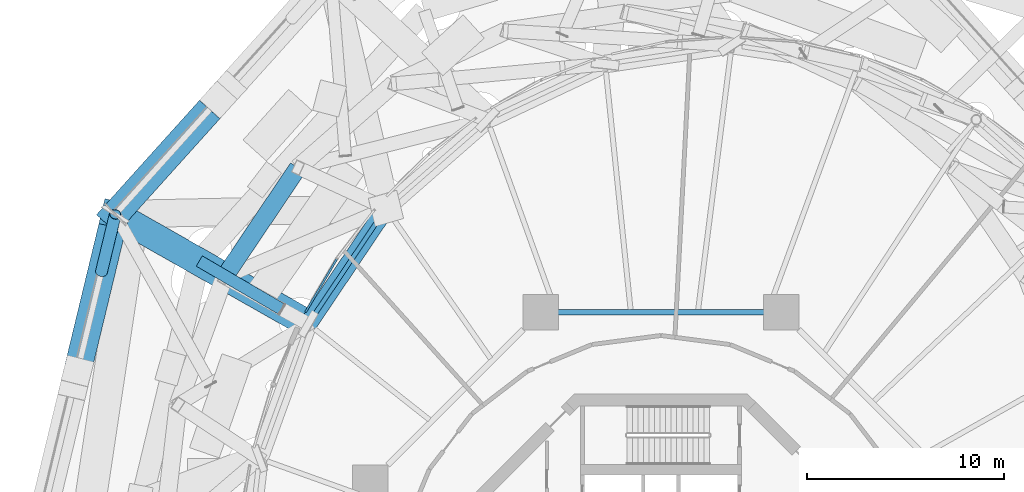
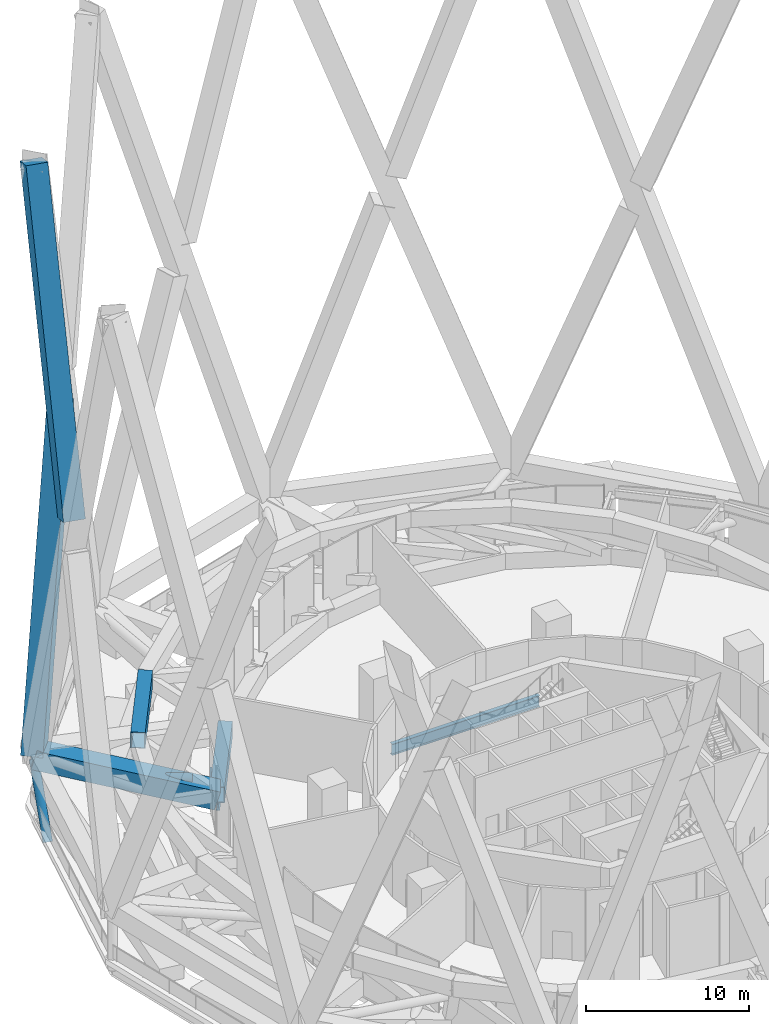
# One storey, part 31 of 60: 6 members, 4 beams, 1 element without a shape of its own.
"""IFC4 building model written with IfcOpenShell, lengths in metres."""

from ifc_helpers import new_model, si_unit, direction, frame, origin, origin_2d, place, context, subcontext, project, spatial, rectangle, hollow_rectangle, hollow_circle, i_section, extrude, material, layer, layer_set, material_profile, profile_set, type_object, element, aggregate, save


model = new_model("IFC4")

# Units and contexts
model_context = context("Model", 3, precision=1e-05, world=origin(), true_north=direction((0.0, 1.0)))
body_context = subcontext(model_context, "Body", "Model", "MODEL_VIEW")
ifc_project = project(units=[si_unit("LENGTHUNIT", "METRE"), si_unit("AREAUNIT", "SQUARE_METRE"), si_unit("VOLUMEUNIT", "CUBIC_METRE"), si_unit("PLANEANGLEUNIT", "RADIAN"), si_unit("MASSUNIT", "GRAM", prefix="KILO")], contexts=[model_context])

# Site, building, storey
site_placement = place(None, origin())
site = spatial("IfcSite", under=ifc_project, at=site_placement, CompositionType="ELEMENT")
building_placement = place(site_placement, origin())
building = spatial("IfcBuilding", under=site, at=building_placement, Name="Nagisa Residences", CompositionType="ELEMENT")
storey_placement = place(building_placement, frame((0.0, 0.0, 206.60009765625)))
storey = spatial("IfcBuildingStorey", under=building, at=storey_placement, Name="L52", CompositionType="ELEMENT", Elevation=206.60009765625)

# Beams
ifc_material_1 = material(Name="Steel ASTM A572 Gr 50", Category="steel")
ifc_material_profile_1 = material_profile(ifc_material_1, hollow_rectangle(XDim=0.89990234375, YDim=1.199951171875, WallThickness=0.044921875, at=origin_2d()), Name="BX 900x1200x45")
ifc_profile_set_1 = profile_set([ifc_material_profile_1], Name="Steel ASTM A572 Gr 50")
beam_type_1 = type_object("IfcBeamType", Name="Belt chord 4 BX 900x1200x45", PredefinedType="BEAM", material=ifc_profile_set_1)
beam_1_placement = place(storey_placement, frame((-13.9892578125, 20.064208984375, 0.599853515625), z_axis=(-0.558147783438, -0.829741557259, 0.0), x_axis=(0.829741557259, -0.558147783438, 0.0)))
element("IfcBeam", 1, at=beam_1_placement, inside=storey, type_object=beam_type_1, Name="beam:L52:bt4b10", PredefinedType="BEAM", context=body_context, shape_type="SweptSolid", body=[
    extrude(hollow_rectangle(XDim=0.89990234375, YDim=1.199951171875, WallThickness=0.044921875, at=origin_2d()), origin(), (0.0, 0.0, 1.0), 7.08251953125),
])
beam_2_placement = place(storey_placement, frame((-18.466552734375, 22.1318359375, 4.739990234375), z_axis=(-0.558086989811, -0.829782448479, 0.0), x_axis=(0.829782448479, -0.558086989811, 0.0)))
element("IfcBeam", 2, at=beam_2_placement, inside=storey, type_object=beam_type_1, Name="beam:L52:bt4t10", PredefinedType="BEAM", context=body_context, shape_type="SweptSolid", body=[
    extrude(hollow_rectangle(XDim=0.89990234375, YDim=1.199951171875, WallThickness=0.044921875, at=origin_2d()), origin(), (0.0, 0.0, 1.0), 6.71142578125),
])

# Curtain wall, member
ifc_material_2 = material(Name="Aluminium curtain wall system", Category="aluminium")
ifc_layer = layer(ifc_material_2, 0.159912109375)
ifc_layer_set = layer_set([ifc_layer], Name="CW5 CURTAIN WALL")
curtain_wall_type = type_object("IfcCurtainWallType", Name="CW5 CURTAIN WALL", PredefinedType="NOTDEFINED", material=ifc_layer_set)
curtain_wall_placement = place(storey_placement, origin())
curtain_wall = element("IfcCurtainWall", 3, at=curtain_wall_placement, inside=storey, type_object=curtain_wall_type, Name="cw:CW5:L52:19", PredefinedType="NOTDEFINED")
ifc_material_3 = material(Name="Aluminium", Category="aluminium")
ifc_material_profile_2 = material_profile(ifc_material_3, rectangle(XDim=0.10009765625, YDim=0.1201171875, at=origin_2d()), Name="CW5 TRANSOM 100x120")
ifc_profile_set_2 = profile_set([ifc_material_profile_2], Name="Aluminium")
member_type_1 = type_object("IfcMemberType", Name="CW5 TRANSOM 100x120", PredefinedType="USERDEFINED", material=ifc_profile_set_2)
member_1_placement = place(storey_placement, frame((-16.46240234375, 17.53759765625, 0.059814453125), z_axis=(-0.506351440245, -0.862327211076, 0.0), x_axis=(0.862327211076, -0.506351440245, 0.0)))
member_1 = element("IfcMember", 4, at=member_1_placement, type_object=member_type_1, Name="CW5 transom", ObjectType="TRANSOM", PredefinedType="USERDEFINED", context=body_context, shape_type="SweptSolid", body=[
    extrude(rectangle(XDim=0.10009765625, YDim=0.1201171875, at=origin_2d()), origin(), (0.0, 0.0, 1.0), 3.19189453125),
])
aggregate(curtain_wall, [member_1])

# Members
ifc_material_4 = material(Name="Concrete C80", Category="concrete")
ifc_material_profile_3 = material_profile(ifc_material_4, rectangle(XDim=1.39990234375, YDim=1.39990234375, at=origin_2d()), Name="C80 1400x1400")
ifc_profile_set_3 = profile_set([ifc_material_profile_3], Name="Concrete C80")
member_type_2 = type_object("IfcMemberType", Name="Cage bracket 5 C80 1400x1400", PredefinedType="BRACE", material=ifc_profile_set_3)
member_2_placement = place(storey_placement, frame((-27.7548828125, 19.7626953125, 3.699951171875), z_axis=(0.838404044015, -0.476358348655, -0.26487994006), x_axis=(0.494003460939, 0.869459936156, 0.0)))
element("IfcMember", 5, at=member_2_placement, inside=storey, type_object=member_type_2, Name="mem:L52:cg4ob05", PredefinedType="BRACE", context=body_context, shape_type="SweptSolid", body=[
    extrude(rectangle(XDim=1.39990234375, YDim=1.39990234375, at=origin_2d()), origin(), (0.0, 0.0, 1.0), 11.703857421875),
])
ifc_material_5 = material(Name="Concrete C80", Category="concrete")
ifc_material_profile_4 = material_profile(ifc_material_5, rectangle(XDim=1.39990234375, YDim=1.39990234375, at=origin_2d()), Name="C80 1400x1400")
ifc_profile_set_4 = profile_set([ifc_material_profile_4], Name="Concrete C80")
member_type_3 = type_object("IfcMemberType", Name="Cage diagonal 5 C80 1400x1400", PredefinedType="BRACE", material=ifc_profile_set_4)
member_3_placement = place(storey_placement, frame((-27.7548828125, 19.7626953125, 3.699951171875), z_axis=(0.231313832121, 0.256931545346, 0.938339007009), x_axis=(-0.743185630651, 0.669085284843, 0.0)))
element("IfcMember", 6, at=member_3_placement, inside=storey, type_object=member_type_3, Name="mem:L52:cg5d010a", PredefinedType="BRACE", context=body_context, shape_type="SweptSolid", body=[
    extrude(rectangle(XDim=1.39990234375, YDim=1.39990234375, at=origin_2d()), origin(), (0.0, 0.0, 1.0), 22.653076171875),
])
member_4_placement = place(storey_placement, frame((-29.676025390625, 11.7978515625, 26.90576171875), z_axis=(0.084201374826, 0.349089547886, 0.93329878176), x_axis=(-0.972121333874, 0.234478383284, 0.0)))
element("IfcMember", 7, at=member_4_placement, inside=storey, type_object=member_type_3, Name="mem:L52:cg5d012b", PredefinedType="BRACE", context=body_context, shape_type="SweptSolid", body=[
    extrude(rectangle(XDim=1.39990234375, YDim=1.39990234375, at=origin_2d()), origin(), (0.0, 0.0, 1.0), 22.816162109375),
])
ifc_material_6 = material(Name="Steel ASTM A572 Gr 65", Category="steel")
ifc_material_profile_5 = material_profile(ifc_material_6, hollow_circle(Radius=0.304931640625, WallThickness=0.02490234375, at=origin_2d()), Name="CHS 610x25")
ifc_profile_set_5 = profile_set([ifc_material_profile_5], Name="Steel ASTM A572 Gr 65")
member_type_4 = type_object("IfcMemberType", Name="Cage strut CHS 610x25", PredefinedType="STRUT", material=ifc_profile_set_5)
member_5_placement = place(storey_placement, frame((-23.48486328125, 17.387451171875, 1.89990234375), z_axis=(0.863498519516, -0.504351372352, 0.0), x_axis=(0.504351372352, 0.863498519516, 0.0)))
element("IfcMember", 8, at=member_5_placement, inside=storey, type_object=member_type_4, Name="mem:L52:bt4st4a06", PredefinedType="STRUT", context=body_context, shape_type="SweptSolid", body=[
    extrude(hollow_circle(Radius=0.304931640625, WallThickness=0.02490234375, at=origin_2d()), origin(), (0.0, 0.0, 1.0), 4.865966796875),
])

# Beams
ifc_material_7 = material(Name="Steel ASTM A572 Gr 50", Category="steel")
ifc_material_profile_6 = material_profile(ifc_material_7, i_section(OverallWidth=0.2919921875, OverallDepth=0.8349609375, WebThickness=0.013916015625, FlangeThickness=0.018798828125, at=origin_2d()), Name="W840x176")
ifc_profile_set_6 = profile_set([ifc_material_profile_6], Name="Steel ASTM A572 Gr 50")
beam_type_2 = type_object("IfcBeamType", Name="Inner ring beam W840x176", PredefinedType="BEAM", material=ifc_profile_set_6)
beam_3_placement = place(storey_placement, frame((5.242919921875, 14.781982421875, -0.767578125), z_axis=(-1.0, 0.0, 0.0), x_axis=(0.0, -1.0, 0.0)))
element("IfcBeam", 9, at=beam_3_placement, inside=storey, type_object=beam_type_2, Name="beam:L52:ib2", PredefinedType="BEAM", context=body_context, shape_type="SweptSolid", body=[
    extrude(i_section(OverallWidth=0.2919921875, OverallDepth=0.8349609375, WebThickness=0.013916015625, FlangeThickness=0.018798828125, at=origin_2d()), origin(), (0.0, 0.0, 1.0), 10.48583984375),
])
ifc_material_8 = material(Name="Steel ASTM A572 Gr 50", Category="steel")
ifc_material_profile_7 = material_profile(ifc_material_8, i_section(OverallWidth=0.22802734375, OverallDepth=0.60302734375, WebThickness=0.010498046875, FlangeThickness=0.014892578125, at=origin_2d()), Name="W610x101")
ifc_profile_set_7 = profile_set([ifc_material_profile_7], Name="Steel ASTM A572 Gr 50")
beam_type_3 = type_object("IfcBeamType", Name="Perimeter ring beam W610x101", PredefinedType="BEAM", material=ifc_profile_set_7)
beam_4_placement = place(storey_placement, frame((-14.28759765625, 19.62060546875, -0.651611328125), z_axis=(-0.558152301307, -0.829738518177, 0.0), x_axis=(0.829738518177, -0.558152301307, 0.0)))
element("IfcBeam", 10, at=beam_4_placement, inside=storey, type_object=beam_type_3, Name="beam:L52:pb10", PredefinedType="BEAM", context=body_context, shape_type="SweptSolid", body=[
    extrude(i_section(OverallWidth=0.22802734375, OverallDepth=0.60302734375, WebThickness=0.010498046875, FlangeThickness=0.014892578125, at=origin_2d()), origin(), (0.0, 0.0, 1.0), 6.013916015625),
])

# Member
ifc_material_9 = material(Name="Steel ASTM A572 Gr 65", Category="steel")
ifc_material_profile_8 = material_profile(ifc_material_9, hollow_circle(Radius=0.304931640625, WallThickness=0.02490234375, at=origin_2d()), Name="CHS 610x25")
ifc_profile_set_8 = profile_set([ifc_material_profile_8], Name="Steel ASTM A572 Gr 65")
member_type_5 = type_object("IfcMemberType", Name="Raked deck hanger CHS 610x25", PredefinedType="BRACE", material=ifc_profile_set_8)
member_6_placement = place(storey_placement, frame((-27.7548828125, 19.7626953125, 3.349853515625), z_axis=(-0.135421606829, -0.561475561809, -0.816337051649), x_axis=(0.97212443902, -0.234465509319, 0.0)))
element("IfcMember", 11, at=member_6_placement, inside=storey, type_object=member_type_5, Name="mem:L52:deckhanger05", PredefinedType="BRACE", context=body_context, shape_type="SweptSolid", body=[
    extrude(hollow_circle(Radius=0.304931640625, WallThickness=0.02490234375, at=origin_2d()), origin(), (0.0, 0.0, 1.0), 5.19384765625),
])

save(model, "model.ifc")
